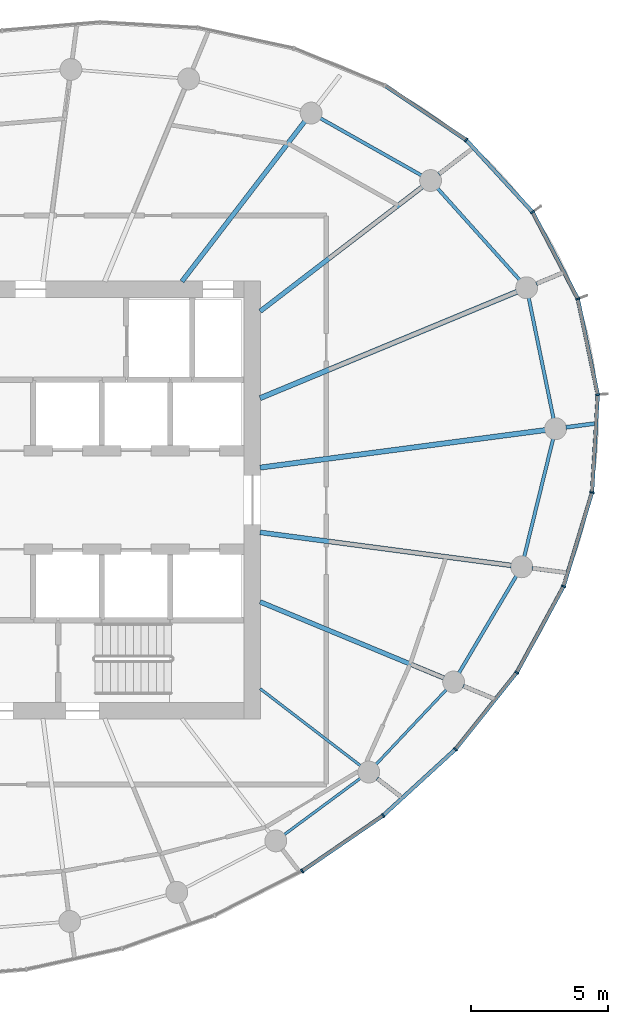
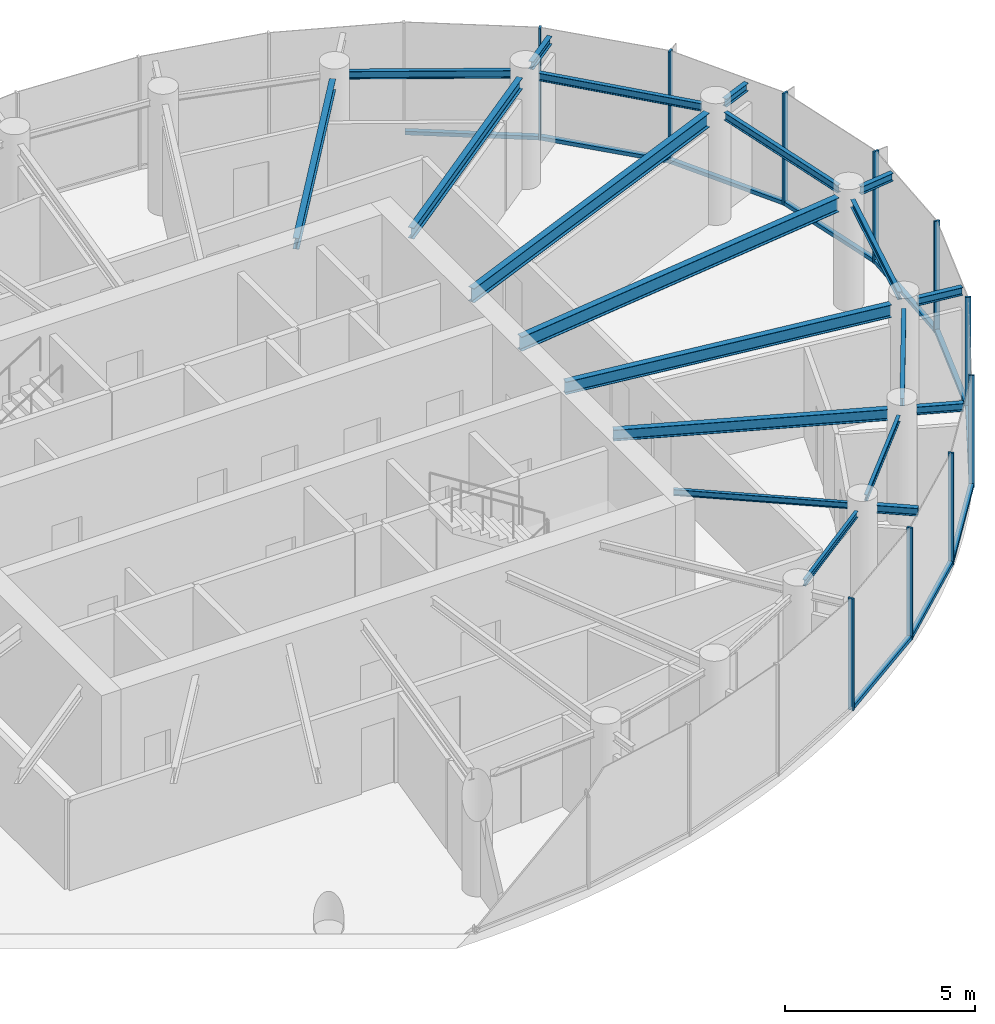
# One storey, part 5 of 13: 20 beams, 20 members, 3 elements without a shape of their own.
"""IFC4 building model written with IfcOpenShell, lengths in metres."""

import ifcopenshell
import ifcopenshell.guid

model = None  # the IFC model being written
_history = None  # IfcOwnerHistory: only IFC2X3 demands one
_inside = {}  # id of a spatial element -> (the spatial element, [elements in it])
_under = {}  # id of a project, library or spatial element -> (it, [spatial elements below it])
_declared = {}  # id of a project -> (the project, [libraries it declares])
_typed = {}  # id of a type object -> (the type object, [elements of that type])
_made_of = {}  # id of a material, layer set ... -> (it, [elements and type objects made of it])


def new_model(schema):
    """Start an empty IFC model of exactly this schema.

    Asked for "IFC4X3", IfcOpenShell would pick the latest addendum, in which some entities
    have other attributes; the version numbers below select the first issue.
    IFC2X3 requires an IfcOwnerHistory on every rooted entity: one is made here for all.
    """
    global model, _history
    if schema == "IFC4X3":
        model = ifcopenshell.file(schema_version=(4, 3, 0, 0))
    else:
        model = ifcopenshell.file(schema=schema)
    _inside.clear()
    _under.clear()
    _declared.clear()
    _typed.clear()
    _made_of.clear()
    _history = None
    if model.schema == "IFC2X3":
        org = make("IfcOrganization", Name="unknown")
        user = make(
            "IfcPersonAndOrganization",
            ThePerson=make("IfcPerson", FamilyName="unknown"),
            TheOrganization=org,
        )
        app = make(
            "IfcApplication",
            ApplicationDeveloper=org,
            Version="unknown",
            ApplicationFullName="unknown",
            ApplicationIdentifier="unknown",
        )
        _history = make(
            "IfcOwnerHistory",
            OwningUser=user,
            OwningApplication=app,
            ChangeAction="ADDED",
            CreationDate=0,
        )
    return model


def make(cls, **values):
    """One entity of the class cls with the attributes given. An attribute that is None is left unset."""
    return model.create_entity(
        cls, **{name: value for name, value in values.items() if value is not None}
    )


def rooted(cls, **values):
    """An entity with a GlobalId (a new one), such as an element, a storey or a relation."""
    return make(cls, GlobalId=ifcopenshell.guid.new(), OwnerHistory=_history, **values)


def si_unit(unit_type, name, prefix=None):
    """IfcSIUnit, for example si_unit("LENGTHUNIT", "METRE", prefix="MILLI")."""
    return make("IfcSIUnit", UnitType=unit_type, Prefix=prefix, Name=name)


def assignment(units):
    """IfcUnitAssignment: the units of a project."""
    return None if units is None else make("IfcUnitAssignment", Units=units)


def point(xyz):
    """IfcCartesianPoint."""
    return None if xyz is None else make("IfcCartesianPoint", Coordinates=xyz)


def direction(xyz):
    """IfcDirection."""
    return None if xyz is None else make("IfcDirection", DirectionRatios=xyz)


def frame(location, z_axis=None, x_axis=None):
    """IfcAxis2Placement3D, a coordinate frame: its origin and axes. An axis left out is left unset."""
    return make(
        "IfcAxis2Placement3D",
        Location=point(location),
        Axis=direction(z_axis),
        RefDirection=direction(x_axis),
    )


def frame_2d(location, x_axis=None):
    """IfcAxis2Placement2D, a coordinate frame in the plane: its origin and x axis."""
    return make(
        "IfcAxis2Placement2D", Location=point(location), RefDirection=direction(x_axis)
    )


def origin():
    """The frame at (0, 0, 0) with its axes left unset."""
    return frame((0.0, 0.0, 0.0))


def origin_2d():
    """The frame at (0, 0) in the plane with its x axis left unset."""
    return frame_2d((0.0, 0.0))


def place(relative_to, where):
    """IfcLocalPlacement: puts the frame where relative to a parent placement (None: the world)."""
    return make(
        "IfcLocalPlacement", PlacementRelTo=relative_to, RelativePlacement=where
    )


def context(
    kind, dimensions, precision=None, world=None, true_north=None, identifier=None
):
    """IfcGeometricRepresentationContext, for example the 3D "Model" context."""
    return make(
        "IfcGeometricRepresentationContext",
        ContextIdentifier=identifier,
        ContextType=kind,
        CoordinateSpaceDimension=dimensions,
        Precision=precision,
        WorldCoordinateSystem=world,
        TrueNorth=true_north,
    )


def subcontext(parent, identifier, kind, view, scale=None):
    """IfcGeometricRepresentationSubContext, for example "Body" below "Model"."""
    return make(
        "IfcGeometricRepresentationSubContext",
        ContextIdentifier=identifier,
        ContextType=kind,
        ParentContext=parent,
        TargetScale=scale,
        TargetView=view,
    )


def project(units=None, contexts=None):
    """IfcProject with its units and contexts."""
    return rooted(
        "IfcProject",
        Name="project",
        RepresentationContexts=contexts,
        UnitsInContext=assignment(units),
    )


def spatial(cls, under=None, at=None, **own):
    """A site, building, storey or space (cls), placed at a placement, below another one or the project."""
    s = rooted(cls, ObjectPlacement=at, **own)
    if under is not None:
        _under.setdefault(under.id(), (under, []))[1].append(s)
    return s


def profile(cls, at=None, kind="AREA", **sizes):
    """A parametric profile (cls). Its sizes go by their IFC names, for example OverallWidth=200.0."""
    return make(cls, ProfileType=kind, Position=at, **sizes)


def rectangle(**sizes):
    """IfcRectangleProfileDef."""
    return profile("IfcRectangleProfileDef", **sizes)


def i_section(**sizes):
    """IfcIShapeProfileDef."""
    return profile("IfcIShapeProfileDef", **sizes)


def extrude(swept, where, along, depth):
    """IfcExtrudedAreaSolid: the profile swept, set in the frame where, extruded along a direction by depth."""
    return make(
        "IfcExtrudedAreaSolid",
        SweptArea=swept,
        Position=where,
        ExtrudedDirection=direction(along),
        Depth=depth,
    )


def shape(context_of_items, identifier, shape_type, items):
    """IfcShapeRepresentation: the items that make up one representation, for example the "Body"."""
    return make(
        "IfcShapeRepresentation",
        ContextOfItems=context_of_items,
        RepresentationIdentifier=identifier,
        RepresentationType=shape_type,
        Items=items,
    )


def source(mapping_origin, context_of_items, identifier, shape_type, items):
    """IfcRepresentationMap: a shape defined once, which mapped items show again and again."""
    return make(
        "IfcRepresentationMap",
        MappingOrigin=mapping_origin,
        MappedRepresentation=shape(context_of_items, identifier, shape_type, items),
    )


def transform(
    local_origin,
    x_axis=None,
    y_axis=None,
    z_axis=None,
    scale=None,
    scale2=None,
    scale3=None,
    uniform=True,
):
    """IfcCartesianTransformationOperator3D, or its non-uniform kind. x_axis, y_axis, z_axis: its Axis1, 2, 3."""
    if uniform:
        return make(
            "IfcCartesianTransformationOperator3D",
            Axis1=direction(x_axis),
            Axis2=direction(y_axis),
            LocalOrigin=point(local_origin),
            Scale=scale,
            Axis3=direction(z_axis),
        )
    return make(
        "IfcCartesianTransformationOperator3DnonUniform",
        Axis1=direction(x_axis),
        Axis2=direction(y_axis),
        LocalOrigin=point(local_origin),
        Scale=scale,
        Axis3=direction(z_axis),
        Scale2=scale2,
        Scale3=scale3,
    )


def mapped(mapping_source, mapping_target):
    """IfcMappedItem: shows the shape of a source again, moved by a transform."""
    return make(
        "IfcMappedItem", MappingSource=mapping_source, MappingTarget=mapping_target
    )


def material(Name=None, Category=None):
    """IfcMaterial."""
    return make("IfcMaterial", Name=Name, Category=Category)


def layer(
    of_material, thickness, ventilated=None, Name=None, Category=None, Priority=None
):
    """IfcMaterialLayer: one layer of a wall or slab, of a material (None: an air gap)."""
    return make(
        "IfcMaterialLayer",
        Material=of_material,
        LayerThickness=thickness,
        IsVentilated=ventilated,
        Name=Name,
        Category=Category,
        Priority=Priority,
    )


def layer_set(layers, Name=None):
    """IfcMaterialLayerSet."""
    return make("IfcMaterialLayerSet", MaterialLayers=layers, LayerSetName=Name)


def material_profile(
    of_material, cross_section, Name=None, Category=None, Priority=None
):
    """IfcMaterialProfile: a cross section and its material."""
    return make(
        "IfcMaterialProfile",
        Name=Name,
        Material=of_material,
        Profile=cross_section,
        Priority=Priority,
        Category=Category,
    )


def profile_set(profiles, Name=None, composite=None):
    """IfcMaterialProfileSet."""
    return make(
        "IfcMaterialProfileSet",
        Name=Name,
        MaterialProfiles=profiles,
        CompositeProfile=composite,
    )


def made_of(thing, what):
    """Note that an element or type object is made of a material, layer set ...; save() writes the relation."""
    if what is not None:
        _made_of.setdefault(what.id(), (what, []))[1].append(thing)
    return thing


def type_object(cls, material=None, **own):
    """A type object (cls), such as IfcWallType, which elements share."""
    return made_of(rooted(cls, **own), material)


def element(
    cls,
    number,
    at=None,
    inside=None,
    cuts=None,
    type_object=None,
    material=None,
    context=None,
    identifier="Body",
    shape_type=None,
    held_by="IfcProductDefinitionShape",
    body=None,
    shapes=None,
    **own,
):
    """One element of the class cls, such as IfcWall. Its Tag is "e" and its number.

    at: its placement. inside: the storey or other place that contains it. cuts: it is an
    opening in that element (IfcRelVoidsElement). A single representation is given by context,
    identifier, shape_type and body (its items); several are given by shapes. held_by: the class
    of the entity that holds the representations. save() writes the other relations.
    """
    e = rooted(cls, Tag="e%d" % number, ObjectPlacement=at, **own)
    if body is not None:
        shapes = [shape(context, identifier, shape_type, body)]
    if shapes is not None:
        e.Representation = make(held_by, Representations=shapes)
    if inside is not None:
        _inside.setdefault(inside.id(), (inside, []))[1].append(e)
    if cuts is not None:
        rooted(
            "IfcRelVoidsElement", RelatingBuildingElement=cuts, RelatedOpeningElement=e
        )
    if type_object is not None:
        _typed.setdefault(type_object.id(), (type_object, []))[1].append(e)
    return made_of(e, material)


def aggregate(whole, parts):
    """IfcRelAggregates: a whole, such as a stair, and the parts it consists of."""
    return rooted("IfcRelAggregates", RelatingObject=whole, RelatedObjects=parts)


def save(model, path):
    """Write the relations noted so far, then the file.

    IfcRelAggregates (storeys below a building ...), IfcRelContainedInSpatialStructure (elements
    in a storey), IfcRelDefinesByType, IfcRelAssociatesMaterial and IfcRelDeclares: one each for
    every whole, place, type object, material and project.
    """
    for whole, parts in _under.values():
        aggregate(whole, parts)
    for where, things in _inside.values():
        rooted(
            "IfcRelContainedInSpatialStructure",
            RelatedElements=things,
            RelatingStructure=where,
        )
    for kind, things in _typed.values():
        rooted("IfcRelDefinesByType", RelatedObjects=things, RelatingType=kind)
    for what, things in _made_of.values():
        rooted("IfcRelAssociatesMaterial", RelatedObjects=things, RelatingMaterial=what)
    for by, libraries in _declared.values():
        rooted("IfcRelDeclares", RelatingContext=by, RelatedDefinitions=libraries)
    model.write(path)


model = new_model("IFC4")

# Units and contexts
model_context = context("Model", 3, precision=1e-05, world=origin(), true_north=direction((0.0, 1.0)))
body_context = subcontext(model_context, "Body", "Model", "MODEL_VIEW")
ifc_project = project(units=[si_unit("LENGTHUNIT", "METRE"), si_unit("AREAUNIT", "SQUARE_METRE"), si_unit("VOLUMEUNIT", "CUBIC_METRE"), si_unit("PLANEANGLEUNIT", "RADIAN"), si_unit("MASSUNIT", "GRAM", prefix="KILO")], contexts=[model_context])

# Site, building, storey
site_placement = place(None, origin())
site = spatial("IfcSite", under=ifc_project, at=site_placement, CompositionType="ELEMENT")
building_placement = place(site_placement, origin())
building = spatial("IfcBuilding", under=site, at=building_placement, Name="Spindrift Exchange Tower", CompositionType="ELEMENT")
storey_placement = place(building_placement, frame((0.0, 0.0, 246.199951171875)))
storey = spatial("IfcBuildingStorey", under=building, at=storey_placement, Name="L60", CompositionType="ELEMENT", Elevation=246.199951171875)

# Beams
ifc_material_1 = material(Name="Steel Grade 300", Category="steel")
ifc_material_profile_1 = material_profile(ifc_material_1, i_section(OverallWidth=0.18994140625, OverallDepth=0.4541015625, WebThickness=0.008544921875, FlangeThickness=0.0126953125, FilletRadius=0.013916015625, at=origin_2d()), Name="460UB67.1")
ifc_profile_set_1 = profile_set([ifc_material_profile_1], Name="Steel Grade 300")
beam_type_1 = type_object("IfcBeamType", Name="Floor Beam 460UB67.1 Steel Grade 300", PredefinedType="BEAM", material=ifc_profile_set_1)
shared_shape_1 = source(origin(), body_context, "Body", "SweptSolid", [
    extrude(i_section(OverallWidth=0.18994140625, OverallDepth=0.4541015625, WebThickness=0.008544921875, FlangeThickness=0.0126953125, FilletRadius=0.013916015625, at=origin_2d()), origin(), (0.0, 0.0, 1.0), 10.510009765625),
])
beam_1_placement = place(storey_placement, frame((60.980224609375, 49.182373046875, 3.35302734375), z_axis=(0.991445042488, 0.130524816516, 0.0), x_axis=(-0.130524816516, 0.991445042488, 0.0)))
element("IfcBeam", 1, at=beam_1_placement, inside=storey, type_object=beam_type_1, Name="L60 radial beam R01A", PredefinedType="BEAM", context=body_context, shape_type="MappedRepresentation", body=[
    mapped(shared_shape_1, transform((0.0, 0.0, 0.0), scale=1.0)),
])
shared_shape_2 = source(origin(), body_context, "Body", "SweptSolid", [
    extrude(i_section(OverallWidth=0.18994140625, OverallDepth=0.4541015625, WebThickness=0.008544921875, FlangeThickness=0.0126953125, FilletRadius=0.013916015625, at=origin_2d()), origin(), (0.0, 0.0, 1.0), 10.160400390625),
])
beam_2_placement = place(storey_placement, frame((60.9814453125, 51.72021484375, 3.35302734375), z_axis=(0.923880358773, 0.382681437588, 0.0), x_axis=(-0.382681437588, 0.923880358773, 0.0)))
element("IfcBeam", 2, at=beam_2_placement, inside=storey, type_object=beam_type_1, Name="L60 radial beam R02A", PredefinedType="BEAM", context=body_context, shape_type="MappedRepresentation", body=[
    mapped(shared_shape_2, transform((0.0, 0.0, 0.0), scale=1.0)),
])
ifc_material_profile_2 = material_profile(ifc_material_1, i_section(OverallWidth=0.1708984375, OverallDepth=0.35205078125, WebThickness=0.0068359375, FlangeThickness=0.009765625, FilletRadius=0.013916015625, at=origin_2d()), Name="360UB44.7")
ifc_profile_set_2 = profile_set([ifc_material_profile_2], Name="Steel Grade 300")
beam_type_2 = type_object("IfcBeamType", Name="Floor Beam 360UB44.7 Steel Grade 300", PredefinedType="BEAM", material=ifc_profile_set_2)
shared_shape_3 = source(origin(), body_context, "Body", "SweptSolid", [
    extrude(i_section(OverallWidth=0.1708984375, OverallDepth=0.35205078125, WebThickness=0.0068359375, FlangeThickness=0.009765625, FilletRadius=0.013916015625, at=origin_2d()), origin(), (0.0, 0.0, 1.0), 7.466796875),
])
beam_3_placement = place(storey_placement, frame((60.984130859375, 54.893798828125, 3.404052734375), z_axis=(0.793360004804, 0.608752743548, 0.0), x_axis=(-0.608752743548, 0.793360004804, 0.0)))
element("IfcBeam", 3, at=beam_3_placement, inside=storey, type_object=beam_type_2, Name="L60 radial beam R03A", PredefinedType="BEAM", context=body_context, shape_type="MappedRepresentation", body=[
    mapped(shared_shape_3, transform((0.0, 0.0, 0.0), scale=1.0)),
])
shared_shape_4 = source(origin(), body_context, "Body", "SweptSolid", [
    extrude(i_section(OverallWidth=0.1708984375, OverallDepth=0.35205078125, WebThickness=0.0068359375, FlangeThickness=0.009765625, FilletRadius=0.013916015625, at=origin_2d()), origin(), (0.0, 0.0, 1.0), 7.3740234375),
])
beam_4_placement = place(storey_placement, frame((58.12646484375, 55.984130859375, 3.404052734375), z_axis=(0.608751913917, 0.793360641387, 0.0), x_axis=(-0.793360641387, 0.608751913917, 0.0)))
element("IfcBeam", 4, at=beam_4_placement, inside=storey, type_object=beam_type_2, Name="L60 radial beam R04A", PredefinedType="BEAM", context=body_context, shape_type="MappedRepresentation", body=[
    mapped(shared_shape_4, transform((0.0, 0.0, 0.0), scale=1.0)),
])
ifc_material_profile_3 = material_profile(ifc_material_1, i_section(OverallWidth=0.09912109375, OverallDepth=0.197998046875, WebThickness=0.00439453125, FlangeThickness=0.007080078125, FilletRadius=0.010986328125, at=origin_2d()), Name="200UB18.2")
ifc_profile_set_3 = profile_set([ifc_material_profile_3], Name="Steel Grade 300")
beam_type_3 = type_object("IfcBeamType", Name="Floor Beam 200UB18.2 Steel Grade 300", PredefinedType="BEAM", material=ifc_profile_set_3)
shared_shape_5 = source(origin(), body_context, "Body", "SweptSolid", [
    extrude(i_section(OverallWidth=0.09912109375, OverallDepth=0.197998046875, WebThickness=0.00439453125, FlangeThickness=0.007080078125, FilletRadius=0.010986328125, at=origin_2d()), origin(), (0.0, 0.0, 1.0), 4.622802734375),
])
beam_5_placement = place(storey_placement, frame((60.984130859375, 41.106201171875, 3.48095703125), z_axis=(0.793347882225, -0.608768542033, 0.0), x_axis=(0.608768542033, 0.793347882225, 0.0)))
element("IfcBeam", 5, at=beam_5_placement, inside=storey, type_object=beam_type_3, Name="L60 radial beam R22A", PredefinedType="BEAM", context=body_context, shape_type="MappedRepresentation", body=[
    mapped(shared_shape_5, transform((0.0, 0.0, 0.0), scale=1.0)),
])
shared_shape_6 = source(origin(), body_context, "Body", "SweptSolid", [
    extrude(i_section(OverallWidth=0.1708984375, OverallDepth=0.35205078125, WebThickness=0.0068359375, FlangeThickness=0.009765625, FilletRadius=0.013916015625, at=origin_2d()), origin(), (0.0, 0.0, 1.0), 7.272705078125),
])
beam_6_placement = place(storey_placement, frame((60.9814453125, 44.27978515625, 3.404052734375), z_axis=(0.923874446092, -0.382695711836, 0.0), x_axis=(0.382695711836, 0.923874446092, 0.0)))
element("IfcBeam", 6, at=beam_6_placement, inside=storey, type_object=beam_type_2, Name="L60 radial beam R23A", PredefinedType="BEAM", context=body_context, shape_type="MappedRepresentation", body=[
    mapped(shared_shape_6, transform((0.0, 0.0, 0.0), scale=1.0)),
])
ifc_material_profile_4 = material_profile(ifc_material_1, i_section(OverallWidth=0.177978515625, OverallDepth=0.403076171875, WebThickness=0.007568359375, FlangeThickness=0.010986328125, FilletRadius=0.013916015625, at=origin_2d()), Name="410UB53.7")
ifc_profile_set_4 = profile_set([ifc_material_profile_4], Name="Steel Grade 300")
beam_type_4 = type_object("IfcBeamType", Name="Floor Beam 410UB53.7 Steel Grade 300", PredefinedType="BEAM", material=ifc_profile_set_4)
shared_shape_7 = source(origin(), body_context, "Body", "SweptSolid", [
    extrude(i_section(OverallWidth=0.177978515625, OverallDepth=0.403076171875, WebThickness=0.007568359375, FlangeThickness=0.010986328125, FilletRadius=0.013916015625, at=origin_2d()), origin(), (0.0, 0.0, 1.0), 9.261962890625),
])
beam_7_placement = place(storey_placement, frame((60.980224609375, 46.817626953125, 3.378662109375), z_axis=(0.991447744872, -0.130504288008, 0.0), x_axis=(0.130504288008, 0.991447744872, 0.0)))
element("IfcBeam", 7, at=beam_7_placement, inside=storey, type_object=beam_type_4, Name="L60 radial beam R24A", PredefinedType="BEAM", context=body_context, shape_type="MappedRepresentation", body=[
    mapped(shared_shape_7, transform((0.0, 0.0, 0.0), scale=1.0)),
])
ifc_material_profile_5 = material_profile(ifc_material_1, i_section(OverallWidth=0.1240234375, OverallDepth=0.248046875, WebThickness=0.0048828125, FlangeThickness=0.008056640625, FilletRadius=0.011962890625, at=origin_2d()), Name="250UB25.7")
ifc_profile_set_5 = profile_set([ifc_material_profile_5], Name="Steel Grade 300")
beam_type_5 = type_object("IfcBeamType", Name="Edge Beam 250UB25.7 Steel Grade 300", PredefinedType="SPANDREL", material=ifc_profile_set_5)
shared_shape_8 = source(origin(), body_context, "Body", "SweptSolid", [
    extrude(i_section(OverallWidth=0.1240234375, OverallDepth=0.248046875, WebThickness=0.0048828125, FlangeThickness=0.008056640625, FilletRadius=0.011962890625, at=origin_2d()), origin(), (0.0, 0.0, 1.0), 4.497802734375),
])
beam_8_placement = place(storey_placement, frame((71.700927734375, 50.975830078125, 3.4560546875), z_axis=(-0.201217935785, 0.979546498293, 0.0), x_axis=(-0.979546498293, -0.201217935785, 0.0)))
element("IfcBeam", 8, at=beam_8_placement, inside=storey, type_object=beam_type_5, Name="L60 edge beam E01", PredefinedType="SPANDREL", context=body_context, shape_type="MappedRepresentation", body=[
    mapped(shared_shape_8, transform((0.0, 0.0, 0.0), scale=1.0)),
])
shared_shape_9 = source(origin(), body_context, "Body", "SweptSolid", [
    extrude(i_section(OverallWidth=0.1240234375, OverallDepth=0.248046875, WebThickness=0.0048828125, FlangeThickness=0.008056640625, FilletRadius=0.011962890625, at=origin_2d()), origin(), (0.0, 0.0, 1.0), 4.499755859375),
])
beam_9_placement = place(storey_placement, frame((70.466064453125, 56.036865234375, 3.4560546875), z_axis=(-0.667419502646, 0.744681950558, 0.0), x_axis=(-0.744681950558, -0.667419502646, 0.0)))
element("IfcBeam", 9, at=beam_9_placement, inside=storey, type_object=beam_type_5, Name="L60 edge beam E02", PredefinedType="SPANDREL", context=body_context, shape_type="MappedRepresentation", body=[
    mapped(shared_shape_9, transform((0.0, 0.0, 0.0), scale=1.0)),
])
shared_shape_10 = source(origin(), body_context, "Body", "SweptSolid", [
    extrude(i_section(OverallWidth=0.1240234375, OverallDepth=0.248046875, WebThickness=0.0048828125, FlangeThickness=0.008056640625, FilletRadius=0.011962890625, at=origin_2d()), origin(), (0.0, 0.0, 1.0), 4.2509765625),
])
beam_10_placement = place(storey_placement, frame((66.878662109375, 59.857666015625, 3.4560546875), z_axis=(-0.870615246867, 0.491964523033, 0.0), x_axis=(-0.491964523033, -0.870615246867, 0.0)))
element("IfcBeam", 10, at=beam_10_placement, inside=storey, type_object=beam_type_5, Name="L60 edge beam E03", PredefinedType="SPANDREL", context=body_context, shape_type="MappedRepresentation", body=[
    mapped(shared_shape_10, transform((0.0, 0.0, 0.0), scale=1.0)),
])
ifc_material_profile_6 = material_profile(ifc_material_1, i_section(OverallWidth=0.09912109375, OverallDepth=0.197998046875, WebThickness=0.00439453125, FlangeThickness=0.007080078125, FilletRadius=0.010986328125, at=origin_2d()), Name="200UB18.2")
ifc_profile_set_6 = profile_set([ifc_material_profile_6], Name="Steel Grade 300")
beam_type_6 = type_object("IfcBeamType", Name="Edge Beam 200UB18.2 Steel Grade 300", PredefinedType="SPANDREL", material=ifc_profile_set_6)
shared_shape_11 = source(origin(), body_context, "Body", "SweptSolid", [
    extrude(i_section(OverallWidth=0.09912109375, OverallDepth=0.197998046875, WebThickness=0.00439453125, FlangeThickness=0.007080078125, FilletRadius=0.010986328125, at=origin_2d()), origin(), (0.0, 0.0, 1.0), 3.466552734375),
])
beam_11_placement = place(storey_placement, frame((61.861083984375, 35.772705078125, 3.48095703125), z_axis=(0.803854022168, 0.594826622676, 0.0), x_axis=(-0.594826622676, 0.803854022168, 0.0)))
element("IfcBeam", 11, at=beam_11_placement, inside=storey, type_object=beam_type_6, Name="L60 edge beam E21", PredefinedType="SPANDREL", context=body_context, shape_type="MappedRepresentation", body=[
    mapped(shared_shape_11, transform((0.0, 0.0, 0.0), scale=1.0)),
])
shared_shape_12 = source(origin(), body_context, "Body", "SweptSolid", [
    extrude(i_section(OverallWidth=0.09912109375, OverallDepth=0.197998046875, WebThickness=0.00439453125, FlangeThickness=0.007080078125, FilletRadius=0.010986328125, at=origin_2d()), origin(), (0.0, 0.0, 1.0), 3.759765625),
])
beam_12_placement = place(storey_placement, frame((65.213623046875, 38.33740234375, 3.48095703125), z_axis=(0.685520646854, 0.72805318675, 0.0), x_axis=(-0.72805318675, 0.685520646854, 0.0)))
element("IfcBeam", 12, at=beam_12_placement, inside=storey, type_object=beam_type_6, Name="L60 edge beam E22", PredefinedType="SPANDREL", context=body_context, shape_type="MappedRepresentation", body=[
    mapped(shared_shape_12, transform((0.0, 0.0, 0.0), scale=1.0)),
])
shared_shape_13 = source(origin(), body_context, "Body", "SweptSolid", [
    extrude(i_section(OverallWidth=0.1240234375, OverallDepth=0.248046875, WebThickness=0.0048828125, FlangeThickness=0.008056640625, FilletRadius=0.011962890625, at=origin_2d()), origin(), (0.0, 0.0, 1.0), 4.128662109375),
])
beam_13_placement = place(storey_placement, frame((68.244873046875, 41.678466796875, 3.4560546875), z_axis=(0.509067946458, 0.860726336235, 0.0), x_axis=(-0.860726336235, 0.509067946458, 0.0)))
element("IfcBeam", 13, at=beam_13_placement, inside=storey, type_object=beam_type_5, Name="L60 edge beam E23", PredefinedType="SPANDREL", context=body_context, shape_type="MappedRepresentation", body=[
    mapped(shared_shape_13, transform((0.0, 0.0, 0.0), scale=1.0)),
])
shared_shape_14 = source(origin(), body_context, "Body", "SweptSolid", [
    extrude(i_section(OverallWidth=0.1240234375, OverallDepth=0.248046875, WebThickness=0.0048828125, FlangeThickness=0.008056640625, FilletRadius=0.011962890625, at=origin_2d()), origin(), (0.0, 0.0, 1.0), 4.43408203125),
])
beam_14_placement = place(storey_placement, frame((70.630615234375, 45.92822265625, 3.4560546875), z_axis=(0.238193109804, 0.971217814109, 0.0), x_axis=(-0.971217814109, 0.238193109804, 0.0)))
element("IfcBeam", 14, at=beam_14_placement, inside=storey, type_object=beam_type_5, Name="L60 edge beam E24", PredefinedType="SPANDREL", context=body_context, shape_type="MappedRepresentation", body=[
    mapped(shared_shape_14, transform((0.0, 0.0, 0.0), scale=1.0)),
])
ifc_material_profile_7 = material_profile(ifc_material_1, i_section(OverallWidth=0.14599609375, OverallDepth=0.251953125, WebThickness=0.006103515625, FlangeThickness=0.008544921875, FilletRadius=0.011962890625, at=origin_2d()), Name="250UB31.4")
ifc_profile_set_7 = profile_set([ifc_material_profile_7], Name="Steel Grade 300")
beam_type_7 = type_object("IfcBeamType", Name="Cantilever Beam 250UB31.4 Steel Grade 300", PredefinedType="BEAM", material=ifc_profile_set_7)
shared_shape_15 = source(origin(), body_context, "Body", "SweptSolid", [
    extrude(i_section(OverallWidth=0.14599609375, OverallDepth=0.251953125, WebThickness=0.006103515625, FlangeThickness=0.008544921875, FilletRadius=0.011962890625, at=origin_2d()), origin(), (0.0, 0.0, 1.0), 1.052978515625),
])
beam_15_placement = place(storey_placement, frame((72.154052734375, 50.6533203125, 3.4541015625), z_axis=(0.991443243408, 0.1305384813, 0.0), x_axis=(-0.1305384813, 0.991443243408, 0.0)))
element("IfcBeam", 15, at=beam_15_placement, inside=storey, type_object=beam_type_7, Name="L60 cantilever beam R01T", PredefinedType="BEAM", context=body_context, shape_type="MappedRepresentation", body=[
    mapped(shared_shape_15, transform((0.0, 0.0, 0.0), scale=1.0)),
])
shared_shape_16 = source(origin(), body_context, "Body", "SweptSolid", [
    extrude(i_section(OverallWidth=0.14599609375, OverallDepth=0.251953125, WebThickness=0.006103515625, FlangeThickness=0.008544921875, FilletRadius=0.011962890625, at=origin_2d()), origin(), (0.0, 0.0, 1.0), 0.942138671875),
])
beam_16_placement = place(storey_placement, frame((71.07080078125, 55.8994140625, 3.4541015625), z_axis=(0.923849418283, 0.382756126453, 0.0), x_axis=(-0.382756126453, 0.923849418283, 0.0)))
element("IfcBeam", 16, at=beam_16_placement, inside=storey, type_object=beam_type_7, Name="L60 cantilever beam R02T", PredefinedType="BEAM", context=body_context, shape_type="MappedRepresentation", body=[
    mapped(shared_shape_16, transform((0.0, 0.0, 0.0), scale=1.0)),
])
shared_shape_17 = source(origin(), body_context, "Body", "SweptSolid", [
    extrude(i_section(OverallWidth=0.14599609375, OverallDepth=0.251953125, WebThickness=0.006103515625, FlangeThickness=0.008544921875, FilletRadius=0.011962890625, at=origin_2d()), origin(), (0.0, 0.0, 1.0), 1.286865234375),
])
beam_17_placement = place(storey_placement, frame((67.510986328125, 59.90185546875, 3.4541015625), z_axis=(0.793279489437, 0.60885766123, 0.0), x_axis=(-0.60885766123, 0.793279489437, 0.0)))
element("IfcBeam", 17, at=beam_17_placement, inside=storey, type_object=beam_type_7, Name="L60 cantilever beam R03T", PredefinedType="BEAM", context=body_context, shape_type="MappedRepresentation", body=[
    mapped(shared_shape_17, transform((0.0, 0.0, 0.0), scale=1.0)),
])
shared_shape_18 = source(origin(), body_context, "Body", "SweptSolid", [
    extrude(i_section(OverallWidth=0.14599609375, OverallDepth=0.251953125, WebThickness=0.006103515625, FlangeThickness=0.008544921875, FilletRadius=0.011962890625, at=origin_2d()), origin(), (0.0, 0.0, 1.0), 1.097900390625),
])
beam_18_placement = place(storey_placement, frame((65.25439453125, 37.829345703125, 3.4541015625), z_axis=(0.793441689108, -0.608646273287, 0.0), x_axis=(0.608646273287, 0.793441689108, 0.0)))
element("IfcBeam", 18, at=beam_18_placement, inside=storey, type_object=beam_type_7, Name="L60 cantilever beam R22T", PredefinedType="BEAM", context=body_context, shape_type="MappedRepresentation", body=[
    mapped(shared_shape_18, transform((0.0, 0.0, 0.0), scale=1.0)),
])
shared_shape_19 = source(origin(), body_context, "Body", "SweptSolid", [
    extrude(i_section(OverallWidth=0.14599609375, OverallDepth=0.251953125, WebThickness=0.006103515625, FlangeThickness=0.008544921875, FilletRadius=0.011962890625, at=origin_2d()), origin(), (0.0, 0.0, 1.0), 1.250732421875),
])
beam_19_placement = place(storey_placement, frame((68.402587890625, 41.205810546875, 3.4541015625), z_axis=(0.923912159231, -0.382604654995, 0.0), x_axis=(0.382604654995, 0.923912159231, 0.0)))
element("IfcBeam", 19, at=beam_19_placement, inside=storey, type_object=beam_type_7, Name="L60 cantilever beam R23T", PredefinedType="BEAM", context=body_context, shape_type="MappedRepresentation", body=[
    mapped(shared_shape_19, transform((0.0, 0.0, 0.0), scale=1.0)),
])
shared_shape_20 = source(origin(), body_context, "Body", "SweptSolid", [
    extrude(i_section(OverallWidth=0.14599609375, OverallDepth=0.251953125, WebThickness=0.006103515625, FlangeThickness=0.008544921875, FilletRadius=0.011962890625, at=origin_2d()), origin(), (0.0, 0.0, 1.0), 1.268798828125),
])
beam_20_placement = place(storey_placement, frame((70.916748046875, 45.509521484375, 3.4541015625), z_axis=(0.991454950409, -0.130449535489, 0.0), x_axis=(0.130449535489, 0.991454950409, 0.0)))
element("IfcBeam", 20, at=beam_20_placement, inside=storey, type_object=beam_type_7, Name="L60 cantilever beam R24T", PredefinedType="BEAM", context=body_context, shape_type="MappedRepresentation", body=[
    mapped(shared_shape_20, transform((0.0, 0.0, 0.0), scale=1.0)),
])

# Curtain wall, members
ifc_material_2 = material(Name="Fritted laminated glass with bronze frame", Category="glass")
ifc_layer = layer(ifc_material_2, 0.159912109375)
ifc_layer_set = layer_set([ifc_layer], Name="ZONE 5 BRONZE FRITTED WALL")
curtain_wall_type = type_object("IfcCurtainWallType", Name="ZONE 5 BRONZE FRITTED WALL", PredefinedType="NOTDEFINED", material=ifc_layer_set)
curtain_wall_1_placement = place(storey_placement, origin())
curtain_wall_1 = element("IfcCurtainWall", 21, at=curtain_wall_1_placement, inside=storey, type_object=curtain_wall_type, Name="L60 Zone 5 Bronze Fritted Wall run 1", PredefinedType="NOTDEFINED")
ifc_material_3 = material(Name="Bronze anodised aluminium", Category="aluminium")
ifc_material_profile_8 = material_profile(ifc_material_3, rectangle(XDim=0.06005859375, YDim=0.159912109375, at=origin_2d()), Name="ZONE 5 BRONZE FRITTED WALL MULLION 60X160")
ifc_profile_set_8 = profile_set([ifc_material_profile_8], Name="Bronze anodised aluminium")
member_type_1 = type_object("IfcMemberType", Name="ZONE 5 BRONZE FRITTED WALL MULLION 60X160", PredefinedType="MULLION", material=ifc_profile_set_8)
shared_shape_21 = source(origin(), body_context, "Body", "SweptSolid", [
    extrude(rectangle(XDim=0.06005859375, YDim=0.159912109375, at=origin_2d()), origin(), (0.0, 0.0, 1.0), 3.580078125),
])
member_1_placement = place(storey_placement, frame((72.587646484375, 55.34765625, 0.0), z_axis=(0.0, 0.0, 1.0), x_axis=(-0.336132183301, 0.941814820094, 0.0)))
member_1 = element("IfcMember", 22, at=member_1_placement, type_object=member_type_1, Name="L60 mullion CW-5.1", PredefinedType="MULLION", context=body_context, shape_type="MappedRepresentation", body=[
    mapped(shared_shape_21, transform((0.0, 0.0, 0.0), scale=1.0)),
])
member_2_placement = place(storey_placement, frame((70.93408203125, 58.520263671875, 0.0), z_axis=(0.0, 0.0, 1.0), x_axis=(-0.574782975454, 0.818305890929, 0.0)))
member_2 = element("IfcMember", 23, at=member_2_placement, type_object=member_type_1, Name="L60 mullion CW-5.2", PredefinedType="MULLION", context=body_context, shape_type="MappedRepresentation", body=[
    mapped(shared_shape_21, transform((0.0, 0.0, 0.0), scale=1.0)),
])
member_3_placement = place(storey_placement, frame((68.509521484375, 61.1533203125, 0.0), z_axis=(0.0, 0.0, 1.0), x_axis=(-0.759180377219, 0.650880292255, 0.0)))
member_3 = element("IfcMember", 24, at=member_3_placement, type_object=member_type_1, Name="L60 mullion CW-5.3", PredefinedType="MULLION", context=body_context, shape_type="MappedRepresentation", body=[
    mapped(shared_shape_21, transform((0.0, 0.0, 0.0), scale=1.0)),
])

curtain_wall_2_placement = place(storey_placement, origin())
curtain_wall_2 = element("IfcCurtainWall", 25, at=curtain_wall_2_placement, inside=storey, type_object=curtain_wall_type, Name="L60 Zone 5 Bronze Fritted Wall run 5", PredefinedType="NOTDEFINED")
member_4_placement = place(storey_placement, frame((62.519287109375, 34.443603515625, 0.0), z_axis=(0.0, 0.0, 1.0), x_axis=(0.859912374679, 0.51044167921, 0.0)))
member_4 = element("IfcMember", 26, at=member_4_placement, type_object=member_type_1, Name="L60 mullion CW-5.28", PredefinedType="MULLION", context=body_context, shape_type="MappedRepresentation", body=[
    mapped(shared_shape_21, transform((0.0, 0.0, 0.0), scale=1.0)),
])
member_5_placement = place(storey_placement, frame((65.47607421875, 36.47265625, 0.0), z_axis=(0.0, 0.0, 1.0), x_axis=(0.78279179433, 0.622283702767, 0.0)))
member_5 = element("IfcMember", 27, at=member_5_placement, type_object=member_type_1, Name="L60 mullion CW-5.29", PredefinedType="MULLION", context=body_context, shape_type="MappedRepresentation", body=[
    mapped(shared_shape_21, transform((0.0, 0.0, 0.0), scale=1.0)),
])
member_6_placement = place(storey_placement, frame((68.119384765625, 38.895263671875, 0.0), z_axis=(0.0, 0.0, 1.0), x_axis=(0.682674144749, 0.730722937981, 0.0)))
member_6 = element("IfcMember", 28, at=member_6_placement, type_object=member_type_1, Name="L60 mullion CW-5.30", PredefinedType="MULLION", context=body_context, shape_type="MappedRepresentation", body=[
    mapped(shared_shape_21, transform((0.0, 0.0, 0.0), scale=1.0)),
])

curtain_wall_3_placement = place(storey_placement, origin())
curtain_wall_3 = element("IfcCurtainWall", 29, at=curtain_wall_3_placement, inside=storey, type_object=curtain_wall_type, Name="L60 Zone 5 Bronze Fritted Wall run 6", PredefinedType="NOTDEFINED")
member_7_placement = place(storey_placement, frame((70.3564453125, 41.6962890625, 0.0), z_axis=(0.0, 0.0, 1.0), x_axis=(0.552995217285, 0.833184427159, 0.0)))
member_7 = element("IfcMember", 30, at=member_7_placement, type_object=member_type_1, Name="L60 mullion CW-5.31", PredefinedType="MULLION", context=body_context, shape_type="MappedRepresentation", body=[
    mapped(shared_shape_21, transform((0.0, 0.0, 0.0), scale=1.0)),
])
member_8_placement = place(storey_placement, frame((72.068115234375, 44.844482421875, 0.0), z_axis=(0.0, 0.0, 1.0), x_axis=(0.385843996791, 0.922564041214, 0.0)))
member_8 = element("IfcMember", 31, at=member_8_placement, type_object=member_type_1, Name="L60 mullion CW-5.32", PredefinedType="MULLION", context=body_context, shape_type="MappedRepresentation", body=[
    mapped(shared_shape_21, transform((0.0, 0.0, 0.0), scale=1.0)),
])
member_9_placement = place(storey_placement, frame((73.106689453125, 48.272216796875, 0.0), z_axis=(0.0, 0.0, 1.0), x_axis=(0.175517886962, 0.984476242149, 0.0)))
member_9 = element("IfcMember", 32, at=member_9_placement, type_object=member_type_1, Name="L60 mullion CW-5.33", PredefinedType="MULLION", context=body_context, shape_type="MappedRepresentation", body=[
    mapped(shared_shape_21, transform((0.0, 0.0, 0.0), scale=1.0)),
])
member_10_placement = place(storey_placement, frame((73.31640625, 51.84521484375, 0.0), z_axis=(0.0, 0.0, 1.0), x_axis=(-0.073213996802, 0.99731625409, 0.0)))
member_10 = element("IfcMember", 33, at=member_10_placement, type_object=member_type_1, Name="L60 mullion CW-5.34", PredefinedType="MULLION", context=body_context, shape_type="MappedRepresentation", body=[
    mapped(shared_shape_21, transform((0.0, 0.0, 0.0), scale=1.0)),
])

# Member
ifc_material_profile_9 = material_profile(ifc_material_3, rectangle(XDim=0.139892578125, YDim=0.1201171875, at=origin_2d()), Name="ZONE 5 BRONZE FRITTED WALL TRANSOM 140X120")
ifc_profile_set_9 = profile_set([ifc_material_profile_9], Name="Bronze anodised aluminium")
member_type_2 = type_object("IfcMemberType", Name="ZONE 5 BRONZE FRITTED WALL TRANSOM 140X120", PredefinedType="USERDEFINED", material=ifc_profile_set_9)
shared_shape_22 = source(origin(), body_context, "Body", "SweptSolid", [
    extrude(rectangle(XDim=0.139892578125, YDim=0.1201171875, at=origin_2d()), origin(), (0.0, 0.0, 1.0), 3.525390625),
])
member_11_placement = place(storey_placement, frame((65.498291015625, 36.492919921875, 0.06005859375), z_axis=(0.737185760042, 0.675690132525, 0.0), x_axis=(-0.675690132525, 0.737185760042, 0.0)))
member_11 = element("IfcMember", 34, at=member_11_placement, type_object=member_type_2, Name="L60 transom CW-5.29", ObjectType="TRANSOM", PredefinedType="USERDEFINED", context=body_context, shape_type="MappedRepresentation", body=[
    mapped(shared_shape_22, transform((0.0, 0.0, 0.0), scale=1.0)),
])

shared_shape_23 = source(origin(), body_context, "Body", "SweptSolid", [
    extrude(rectangle(XDim=0.139892578125, YDim=0.1201171875, at=origin_2d()), origin(), (0.0, 0.0, 1.0), 3.524658203125),
])
member_12_placement = place(storey_placement, frame((68.137939453125, 38.918701171875, 0.06005859375), z_axis=(0.624069780906, 0.781368612475, 0.0), x_axis=(-0.781368612475, 0.624069780906, 0.0)))
member_12 = element("IfcMember", 35, at=member_12_placement, type_object=member_type_2, Name="L60 transom CW-5.30", ObjectType="TRANSOM", PredefinedType="USERDEFINED", context=body_context, shape_type="MappedRepresentation", body=[
    mapped(shared_shape_23, transform((0.0, 0.0, 0.0), scale=1.0)),
])

shared_shape_24 = source(origin(), body_context, "Body", "SweptSolid", [
    extrude(rectangle(XDim=0.139892578125, YDim=0.1201171875, at=origin_2d()), origin(), (0.0, 0.0, 1.0), 3.521484375),
])
member_13_placement = place(storey_placement, frame((68.484619140625, 61.169921875, 0.06005859375), z_axis=(-0.830425503153, 0.55712968303, 0.0), x_axis=(-0.55712968303, -0.830425503153, 0.0)))
member_13 = element("IfcMember", 36, at=member_13_placement, type_object=member_type_2, Name="L60 transom CW-5.3", ObjectType="TRANSOM", PredefinedType="USERDEFINED", context=body_context, shape_type="MappedRepresentation", body=[
    mapped(shared_shape_24, transform((0.0, 0.0, 0.0), scale=1.0)),
])

member_14_placement = place(storey_placement, frame((72.07666015625, 44.873291015625, 0.06005859375), z_axis=(0.290068967873, 0.95700574391, 0.0), x_axis=(-0.95700574391, 0.290068967873, 0.0)))
member_14 = element("IfcMember", 37, at=member_14_placement, type_object=member_type_2, Name="L60 transom CW-5.32", ObjectType="TRANSOM", PredefinedType="USERDEFINED", context=body_context, shape_type="MappedRepresentation", body=[
    mapped(shared_shape_24, transform((0.0, 0.0, 0.0), scale=1.0)),
])

shared_shape_25 = source(origin(), body_context, "Body", "SweptSolid", [
    extrude(rectangle(XDim=0.139892578125, YDim=0.1201171875, at=origin_2d()), origin(), (0.0, 0.0, 1.0), 3.519287109375),
])
member_15_placement = place(storey_placement, frame((70.913818359375, 58.542236328125, 0.06005859375), z_axis=(-0.677406614804, 0.735608780684, 0.0), x_axis=(-0.735608780684, -0.677406614804, 0.0)))
member_15 = element("IfcMember", 38, at=member_15_placement, type_object=member_type_2, Name="L60 transom CW-5.2", ObjectType="TRANSOM", PredefinedType="USERDEFINED", context=body_context, shape_type="MappedRepresentation", body=[
    mapped(shared_shape_25, transform((0.0, 0.0, 0.0), scale=1.0)),
])

member_16_placement = place(storey_placement, frame((73.108642578125, 48.302001953125, 0.06005859375), z_axis=(0.058551218795, 0.998284405757, 0.0), x_axis=(-0.998284405757, 0.058551218795, 0.0)))
member_16 = element("IfcMember", 39, at=member_16_placement, type_object=member_type_2, Name="L60 transom CW-5.33", ObjectType="TRANSOM", PredefinedType="USERDEFINED", context=body_context, shape_type="MappedRepresentation", body=[
    mapped(shared_shape_25, transform((0.0, 0.0, 0.0), scale=1.0)),
])

shared_shape_26 = source(origin(), body_context, "Body", "SweptSolid", [
    extrude(rectangle(XDim=0.139892578125, YDim=0.1201171875, at=origin_2d()), origin(), (0.0, 0.0, 1.0), 3.526123046875),
])
member_17_placement = place(storey_placement, frame((62.5439453125, 34.460693359375, 0.06005859375), z_axis=(0.824572887511, 0.565755736322, 0.0), x_axis=(-0.565755736322, 0.824572887511, 0.0)))
member_17 = element("IfcMember", 40, at=member_17_placement, type_object=member_type_2, Name="L60 transom CW-5.28", ObjectType="TRANSOM", PredefinedType="USERDEFINED", context=body_context, shape_type="MappedRepresentation", body=[
    mapped(shared_shape_26, transform((0.0, 0.0, 0.0), scale=1.0)),
])

aggregate(curtain_wall_2, [member_4, member_17, member_5, member_11, member_6, member_12])

shared_shape_27 = source(origin(), body_context, "Body", "SweptSolid", [
    extrude(rectangle(XDim=0.139892578125, YDim=0.1201171875, at=origin_2d()), origin(), (0.0, 0.0, 1.0), 3.5234375),
])
member_18_placement = place(storey_placement, frame((70.370849609375, 41.72265625, 0.06005859375), z_axis=(0.47763309263, 0.878559405405, 0.0), x_axis=(-0.878559405405, 0.47763309263, 0.0)))
member_18 = element("IfcMember", 41, at=member_18_placement, type_object=member_type_2, Name="L60 transom CW-5.31", ObjectType="TRANSOM", PredefinedType="USERDEFINED", context=body_context, shape_type="MappedRepresentation", body=[
    mapped(shared_shape_27, transform((0.0, 0.0, 0.0), scale=1.0)),
])

shared_shape_28 = source(origin(), body_context, "Body", "SweptSolid", [
    extrude(rectangle(XDim=0.139892578125, YDim=0.1201171875, at=origin_2d()), origin(), (0.0, 0.0, 1.0), 3.517578125),
])
member_19_placement = place(storey_placement, frame((72.57373046875, 55.374267578125, 0.06005859375), z_axis=(-0.462169845029, 0.886791426631, 0.0), x_axis=(-0.886791426631, -0.462169845029, 0.0)))
member_19 = element("IfcMember", 42, at=member_19_placement, type_object=member_type_2, Name="L60 transom CW-5.1", ObjectType="TRANSOM", PredefinedType="USERDEFINED", context=body_context, shape_type="MappedRepresentation", body=[
    mapped(shared_shape_28, transform((0.0, 0.0, 0.0), scale=1.0)),
])

aggregate(curtain_wall_1, [member_1, member_19, member_2, member_15, member_3, member_13])

member_20_placement = place(storey_placement, frame((73.310302734375, 51.87451171875, 0.06005859375), z_axis=(-0.203704803846, 0.979032355385, 0.0), x_axis=(-0.979032355385, -0.203704803846, 0.0)))
member_20 = element("IfcMember", 43, at=member_20_placement, type_object=member_type_2, Name="L60 transom CW-5.34", ObjectType="TRANSOM", PredefinedType="USERDEFINED", context=body_context, shape_type="MappedRepresentation", body=[
    mapped(shared_shape_28, transform((0.0, 0.0, 0.0), scale=1.0)),
])

aggregate(curtain_wall_3, [member_7, member_18, member_8, member_14, member_9, member_16, member_10, member_20])

save(model, "model.ifc")
